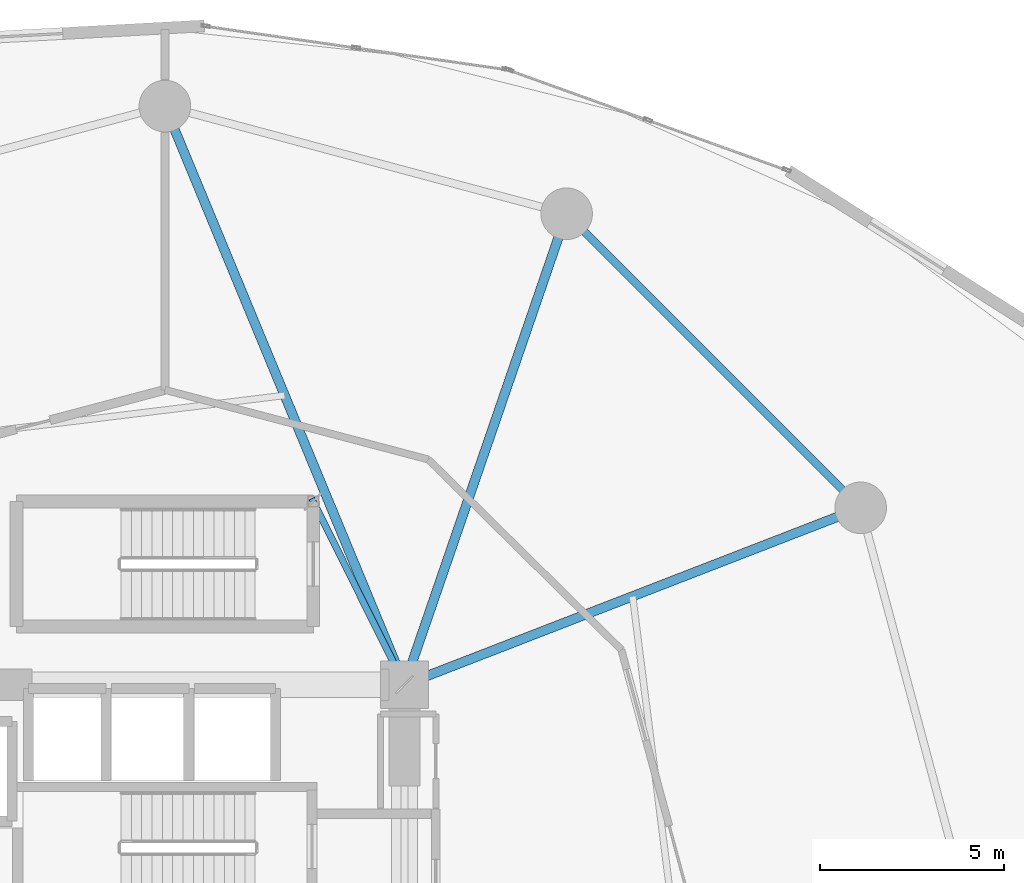
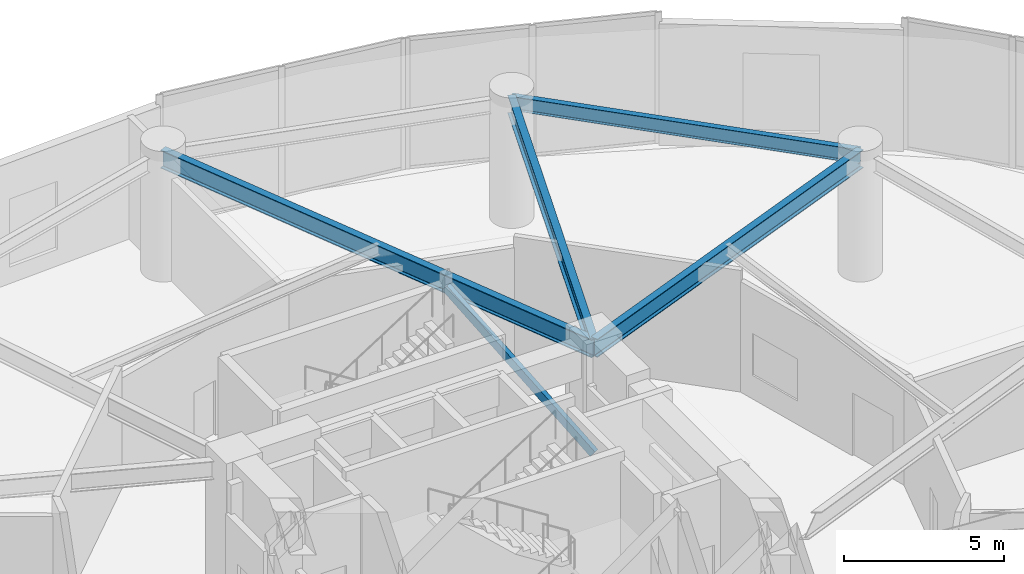
# One storey, part 19 of 31: 4 beams, 1 member.
"""IFC4 building model written with IfcOpenShell, lengths in metres."""

from ifc_helpers import new_model, si_unit, direction, frame, origin, origin_2d, place, context, subcontext, project, spatial, hollow_rectangle, i_section, extrude, material, material_profile, profile_set, type_object, element, save


model = new_model("IFC4")

# Units and contexts
model_context = context("Model", 3, precision=1e-05, world=origin(), true_north=direction((0.0, 1.0)))
body_context = subcontext(model_context, "Body", "Model", "MODEL_VIEW")
ifc_project = project(units=[si_unit("LENGTHUNIT", "METRE"), si_unit("AREAUNIT", "SQUARE_METRE"), si_unit("VOLUMEUNIT", "CUBIC_METRE"), si_unit("PLANEANGLEUNIT", "RADIAN"), si_unit("MASSUNIT", "GRAM", prefix="KILO")], contexts=[model_context])

# Site, building, storey
site_placement = place(None, origin())
site = spatial("IfcSite", under=ifc_project, at=site_placement, CompositionType="ELEMENT")
building_placement = place(site_placement, origin())
building = spatial("IfcBuilding", under=site, at=building_placement, Name="Solvirekh Grand Hotel", CompositionType="ELEMENT")
storey_placement = place(building_placement, frame((0.0, 0.0, 18.60009765625)))
storey = spatial("IfcBuildingStorey", under=building, at=storey_placement, Name="L03", CompositionType="ELEMENT", Elevation=18.60009765625)

# Beams
ifc_material = material(Name="Steel S355", Category="steel")
ifc_material_profile_1 = material_profile(ifc_material, i_section(OverallWidth=0.2548828125, OverallDepth=0.695068359375, WebThickness=0.01611328125, FlangeThickness=0.028076171875, FilletRadius=0.01611328125, at=origin_2d()), Name="W690X217")
ifc_profile_set_1 = profile_set([ifc_material_profile_1], Name="Steel S355")
beam_type_1 = type_object("IfcBeamType", Name="Beam_Primary_W690", PredefinedType="BEAM", material=ifc_profile_set_1)
beam_1_placement = place(storey_placement, frame((6.5, 6.10009765625, 4.2919921875), z_axis=(0.932365862704, 0.361516110381, 0.0), x_axis=(-0.361516110381, 0.932365862704, 0.0)))
element("IfcBeam", 1, at=beam_1_placement, inside=storey, type_object=beam_type_1, Name="L03 radial floor beam R02", PredefinedType="BEAM", context=body_context, shape_type="SweptSolid", body=[
    extrude(i_section(OverallWidth=0.2548828125, OverallDepth=0.695068359375, WebThickness=0.01611328125, FlangeThickness=0.028076171875, FilletRadius=0.01611328125, at=origin_2d()), origin(), (0.0, 0.0, 1.0), 13.27685546875),
])
beam_2_placement = place(storey_placement, frame((6.5, 6.10009765625, 4.2919921875), z_axis=(0.325555300394, 0.94552300151, 0.0), x_axis=(-0.94552300151, 0.325555300394, 0.0)))
element("IfcBeam", 2, at=beam_2_placement, inside=storey, type_object=beam_type_1, Name="L03 radial floor beam R03", PredefinedType="BEAM", context=body_context, shape_type="SweptSolid", body=[
    extrude(i_section(OverallWidth=0.2548828125, OverallDepth=0.695068359375, WebThickness=0.01611328125, FlangeThickness=0.028076171875, FilletRadius=0.01611328125, at=origin_2d()), origin(), (0.0, 0.0, 1.0), 13.51513671875),
])
beam_3_placement = place(storey_placement, frame((6.5, 6.10009765625, 4.2919921875), z_axis=(-0.382526065589, 0.923944700264, 0.0), x_axis=(-0.923944700264, -0.382526065589, 0.0)))
element("IfcBeam", 3, at=beam_3_placement, inside=storey, type_object=beam_type_1, Name="L03 radial floor beam R04", PredefinedType="BEAM", context=body_context, shape_type="SweptSolid", body=[
    extrude(i_section(OverallWidth=0.2548828125, OverallDepth=0.695068359375, WebThickness=0.01611328125, FlangeThickness=0.028076171875, FilletRadius=0.01611328125, at=origin_2d()), origin(), (0.0, 0.0, 1.0), 16.9921875),
])
ifc_material_profile_2 = material_profile(ifc_material, i_section(OverallWidth=0.208984375, OverallDepth=0.532958984375, WebThickness=0.010009765625, FlangeThickness=0.014892578125, FilletRadius=0.013916015625, at=origin_2d()), Name="W530X92")
ifc_profile_set_2 = profile_set([ifc_material_profile_2], Name="Steel S355")
beam_type_2 = type_object("IfcBeamType", Name="Spandrel_Ring_W530", PredefinedType="SPANDREL", material=ifc_profile_set_2)
beam_4_placement = place(storey_placement, frame((18.87890625, 10.89990234375, 4.372802734375), z_axis=(-0.707106781187, 0.707106781187, 0.0), x_axis=(-0.707106781187, -0.707106781187, 0.0)))
element("IfcBeam", 4, at=beam_4_placement, inside=storey, type_object=beam_type_2, Name="L03 perimeter spandrel beam 2", PredefinedType="SPANDREL", context=body_context, shape_type="SweptSolid", body=[
    extrude(i_section(OverallWidth=0.208984375, OverallDepth=0.532958984375, WebThickness=0.010009765625, FlangeThickness=0.014892578125, FilletRadius=0.013916015625, at=origin_2d()), origin(), (0.0, 0.0, 1.0), 11.283935546875),
])

# Member
ifc_material_profile_3 = material_profile(ifc_material, hollow_rectangle(XDim=0.179931640625, YDim=0.300048828125, WallThickness=0.011962890625, at=origin_2d()), Name="RHS 300X180X12")
ifc_profile_set_3 = profile_set([ifc_material_profile_3], Name="Steel S355")
member_type = type_object("IfcMemberType", Name="Stringer_Stair_RHS300", PredefinedType="STRINGER", material=ifc_profile_set_3)
member_placement = place(storey_placement, frame((6.5, 6.10009765625, 0.25), z_axis=(-0.355348856242, 0.714237881599, 0.602985438345), x_axis=(-0.895312965643, -0.445437642719, 0.0)))
element("IfcMember", 5, at=member_placement, inside=storey, type_object=member_type, Name="L03 feature stair ST-4 steel stringer", PredefinedType="STRINGER", context=body_context, shape_type="SweptSolid", body=[
    extrude(hollow_rectangle(XDim=0.179931640625, YDim=0.300048828125, WallThickness=0.011962890625, at=origin_2d()), origin(), (0.0, 0.0, 1.0), 6.96533203125),
])

save(model, "model.ifc")
